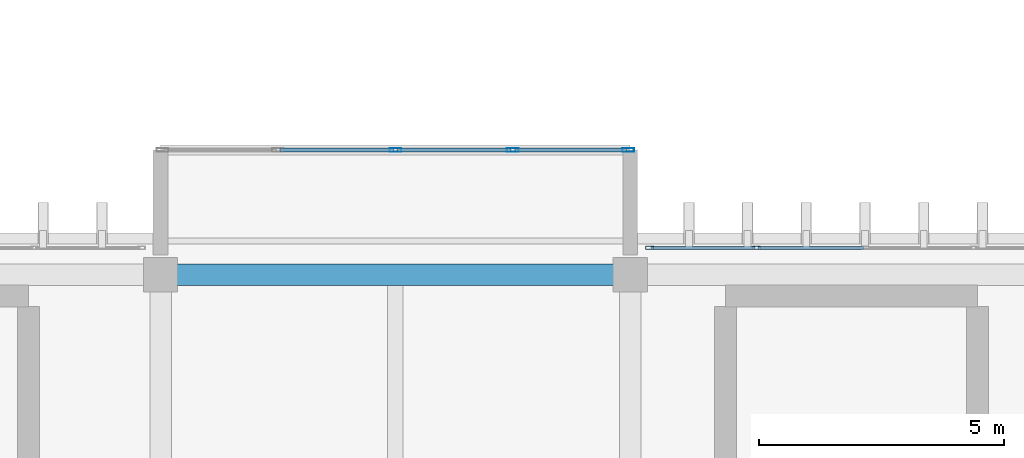
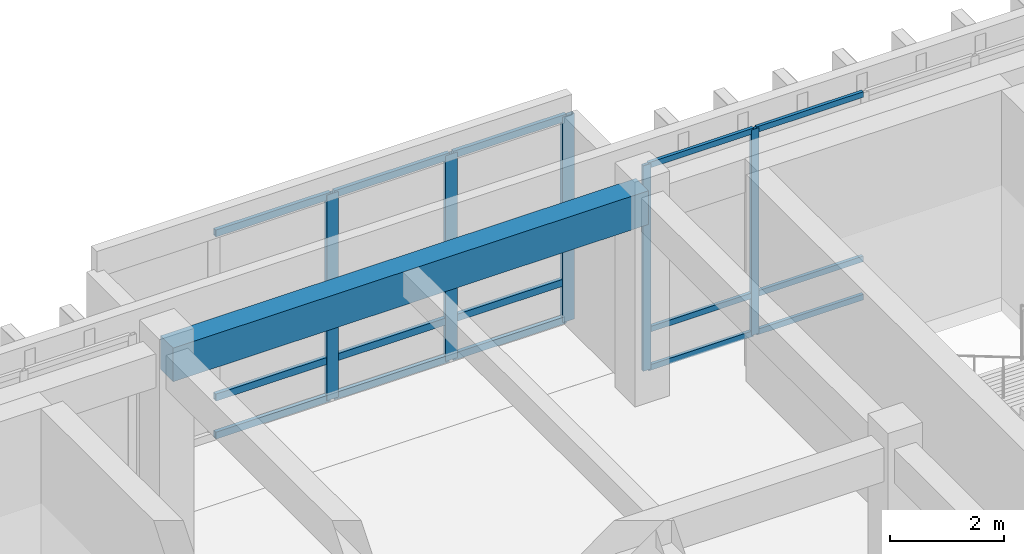
# One storey, part 73 of 133: 20 members, 1 beam, 2 elements without a shape of their own.
"""IFC4 building model written with IfcOpenShell, lengths in metres."""

from ifc_helpers import new_model, si_unit, direction, frame, origin, origin_2d, place, context, subcontext, project, spatial, rectangle, hollow_rectangle, extrude, material, layer, layer_set, material_profile, profile_set, type_object, element, aggregate, save


model = new_model("IFC4")

# Units and contexts
model_context = context("Model", 3, precision=1e-05, world=origin(), true_north=direction((0.0, 1.0)))
body_context = subcontext(model_context, "Body", "Model", "MODEL_VIEW")
ifc_project = project(units=[si_unit("LENGTHUNIT", "METRE"), si_unit("AREAUNIT", "SQUARE_METRE"), si_unit("VOLUMEUNIT", "CUBIC_METRE"), si_unit("PLANEANGLEUNIT", "RADIAN"), si_unit("MASSUNIT", "GRAM", prefix="KILO")], contexts=[model_context])

# Site, building, storey
site_placement = place(None, origin())
site = spatial("IfcSite", under=ifc_project, at=site_placement, CompositionType="ELEMENT")
building_placement = place(site_placement, origin())
building = spatial("IfcBuilding", under=site, at=building_placement, Name="Nakhvara Creek Congress Hotel", CompositionType="ELEMENT")
storey_placement = place(building_placement, frame((0.0, 0.0, 11.39990234375)))
storey = spatial("IfcBuildingStorey", under=building, at=storey_placement, Name="L02", CompositionType="ELEMENT", Elevation=11.39990234375)

# Beam
ifc_material_1 = material(Name="Concrete C40/50", Category="concrete")
ifc_material_profile_1 = material_profile(ifc_material_1, rectangle(XDim=0.43994140625, YDim=0.719970703125, at=origin_2d()), Name="RC-BM 440x720", Category="LoadBearing")
ifc_profile_set_1 = profile_set([ifc_material_profile_1], Name="Concrete C40/50")
beam_type = type_object("IfcBeamType", Name="BM-RC-440X720", PredefinedType="BEAM", material=ifc_profile_set_1)
beam_placement = place(storey_placement, frame((124.800048828125, 95.25, 4.06005859375), z_axis=(1.0, 0.0, 0.0), x_axis=(0.0, 1.0, 0.0)))
element("IfcBeam", 1, at=beam_placement, inside=storey, type_object=beam_type, Name="Beam B12-L02-1539", PredefinedType="BEAM", context=body_context, shape_type="SweptSolid", body=[
    extrude(rectangle(XDim=0.43994140625, YDim=0.719970703125, at=origin_2d()), origin(), (0.0, 0.0, 1.0), 9.599853515625),
])

# Curtain wall, members
ifc_material_2 = material(Name="Bronze-anodised aluminium AW-6063-T6 and double-silver low-E glass", Category="aluminium")
ifc_layer_1 = layer(ifc_material_2, 0.199951171875)
ifc_layer_set_1 = layer_set([ifc_layer_1], Name="Bronze-anodised aluminium AW-6063-T6 and double-silver low-E glass")
curtain_wall_type_1 = type_object("IfcCurtainWallType", Name="CW-POD-STICK", PredefinedType="NOTDEFINED", material=ifc_layer_set_1)
curtain_wall_1_placement = place(storey_placement, origin())
curtain_wall_1 = element("IfcCurtainWall", 2, at=curtain_wall_1_placement, inside=storey, type_object=curtain_wall_type_1, Name="Curtain Wall CW088", PredefinedType="NOTDEFINED")
ifc_material_3 = material(Name="Bronze-anodised aluminium AW-6063-T6", Category="aluminium")
ifc_material_profile_2 = material_profile(ifc_material_3, hollow_rectangle(XDim=0.06494140625, YDim=0.159912109375, WallThickness=0.00390625, at=origin_2d()), Name="ALU-MULL 65x160x4", Category="LoadBearing")
ifc_profile_set_2 = profile_set([ifc_material_profile_2], Name="Bronze-anodised aluminium AW-6063-T6")
member_type_1 = type_object("IfcMemberType", Name="CW-MULL-160", PredefinedType="MULLION", material=ifc_profile_set_2)
member_1_placement = place(storey_placement, frame((134.797607421875, 95.800048828125, 0.0), z_axis=(0.0, 0.0, 1.0), x_axis=(0.0, 1.0, 0.0)))
member_1 = element("IfcMember", 3, at=member_1_placement, type_object=member_type_1, Name="CW088 mullion 1", PredefinedType="MULLION", context=body_context, shape_type="SweptSolid", body=[
    extrude(hollow_rectangle(XDim=0.06494140625, YDim=0.159912109375, WallThickness=0.00390625, at=origin_2d()), origin(), (0.0, 0.0, 1.0), 4.39013671875),
])
member_2_placement = place(storey_placement, frame((136.982421875, 95.800048828125, 0.0), z_axis=(0.0, 0.0, 1.0), x_axis=(0.0, 1.0, 0.0)))
member_2 = element("IfcMember", 4, at=member_2_placement, type_object=member_type_1, Name="CW088 mullion 2", PredefinedType="MULLION", context=body_context, shape_type="SweptSolid", body=[
    extrude(hollow_rectangle(XDim=0.06494140625, YDim=0.159912109375, WallThickness=0.00390625, at=origin_2d()), origin(), (0.0, 0.0, 1.0), 4.39013671875),
])

ifc_layer_2 = layer(ifc_material_2, 0.219970703125)
ifc_layer_set_2 = layer_set([ifc_layer_2], Name="Bronze-anodised aluminium AW-6063-T6 and double-silver low-E glass")
curtain_wall_type_2 = type_object("IfcCurtainWallType", Name="CW-BOX-PROJ", PredefinedType="USERDEFINED", material=ifc_layer_set_2)
curtain_wall_2_placement = place(storey_placement, origin())
curtain_wall_2 = element("IfcCurtainWall", 5, at=curtain_wall_2_placement, inside=storey, type_object=curtain_wall_type_2, Name="Curtain Wall CW083", ObjectType="UNITISED", PredefinedType="USERDEFINED")
ifc_material_profile_3 = material_profile(ifc_material_3, hollow_rectangle(XDim=0.080078125, YDim=0.239990234375, WallThickness=0.0048828125, at=origin_2d()), Name="ALU-MULL 80x240x5", Category="LoadBearing")
ifc_profile_set_3 = profile_set([ifc_material_profile_3], Name="Bronze-anodised aluminium AW-6063-T6")
member_type_2 = type_object("IfcMemberType", Name="CW-MULL-240", PredefinedType="MULLION", material=ifc_profile_set_3)
member_3_placement = place(storey_placement, frame((129.60009765625, 97.800048828125, 0.0), z_axis=(0.0, 0.0, 1.0), x_axis=(0.0, 1.0, 0.0)))
member_3 = element("IfcMember", 6, at=member_3_placement, type_object=member_type_2, Name="CW083 mullion 3", PredefinedType="MULLION", context=body_context, shape_type="SweptSolid", body=[
    extrude(hollow_rectangle(XDim=0.080078125, YDim=0.239990234375, WallThickness=0.0048828125, at=origin_2d()), origin(), (0.0, 0.0, 1.0), 4.39013671875),
])
member_4_placement = place(storey_placement, frame((132.0, 97.800048828125, 0.0), z_axis=(0.0, 0.0, 1.0), x_axis=(0.0, 1.0, 0.0)))
member_4 = element("IfcMember", 7, at=member_4_placement, type_object=member_type_2, Name="CW083 mullion 4", PredefinedType="MULLION", context=body_context, shape_type="SweptSolid", body=[
    extrude(hollow_rectangle(XDim=0.080078125, YDim=0.239990234375, WallThickness=0.0048828125, at=origin_2d()), origin(), (0.0, 0.0, 1.0), 4.39013671875),
])
member_5_placement = place(storey_placement, frame((134.360107421875, 97.800048828125, 0.0), z_axis=(0.0, 0.0, 1.0), x_axis=(0.0, 1.0, 0.0)))
member_5 = element("IfcMember", 8, at=member_5_placement, type_object=member_type_2, Name="CW083 mullion 5", PredefinedType="MULLION", context=body_context, shape_type="SweptSolid", body=[
    extrude(hollow_rectangle(XDim=0.080078125, YDim=0.239990234375, WallThickness=0.0048828125, at=origin_2d()), origin(), (0.0, 0.0, 1.0), 4.39013671875),
])

# Member
ifc_material_profile_4 = material_profile(ifc_material_3, hollow_rectangle(XDim=0.06494140625, YDim=0.1201171875, WallThickness=0.00390625, at=origin_2d()), Name="ALU-TRAN 65x120x4", Category="LoadBearing")
ifc_profile_set_4 = profile_set([ifc_material_profile_4], Name="Bronze-anodised aluminium AW-6063-T6")
member_type_3 = type_object("IfcMemberType", Name="CW-TRAN-120", PredefinedType="USERDEFINED", material=ifc_profile_set_4)
member_6_placement = place(storey_placement, frame((134.830078125, 95.800048828125, 0.03271484375), z_axis=(1.0, 0.0, 0.0), x_axis=(0.0, 1.0, 0.0)))
member_6 = element("IfcMember", 9, at=member_6_placement, type_object=member_type_3, Name="CW088 transom 1.1", ObjectType="TRANSOM", PredefinedType="USERDEFINED", context=body_context, shape_type="SweptSolid", body=[
    extrude(hollow_rectangle(XDim=0.06494140625, YDim=0.1201171875, WallThickness=0.00390625, at=origin_2d()), origin(), (0.0, 0.0, 1.0), 2.119873046875),
])

member_7_placement = place(storey_placement, frame((134.830078125, 95.800048828125, 0.85009765625), z_axis=(1.0, 0.0, 0.0), x_axis=(0.0, 1.0, 0.0)))
member_7 = element("IfcMember", 10, at=member_7_placement, type_object=member_type_3, Name="CW088 transom 1.2", ObjectType="TRANSOM", PredefinedType="USERDEFINED", context=body_context, shape_type="SweptSolid", body=[
    extrude(hollow_rectangle(XDim=0.06494140625, YDim=0.1201171875, WallThickness=0.00390625, at=origin_2d()), origin(), (0.0, 0.0, 1.0), 2.119873046875),
])

member_8_placement = place(storey_placement, frame((134.830078125, 95.800048828125, 4.357666015625), z_axis=(1.0, 0.0, 0.0), x_axis=(0.0, 1.0, 0.0)))
member_8 = element("IfcMember", 11, at=member_8_placement, type_object=member_type_3, Name="CW088 transom 1.3", ObjectType="TRANSOM", PredefinedType="USERDEFINED", context=body_context, shape_type="SweptSolid", body=[
    extrude(hollow_rectangle(XDim=0.06494140625, YDim=0.1201171875, WallThickness=0.00390625, at=origin_2d()), origin(), (0.0, 0.0, 1.0), 2.119873046875),
])

member_9_placement = place(storey_placement, frame((137.014892578125, 95.800048828125, 0.03271484375), z_axis=(1.0, 0.0, 0.0), x_axis=(0.0, 1.0, 0.0)))
member_9 = element("IfcMember", 12, at=member_9_placement, type_object=member_type_3, Name="CW088 transom 2.1", ObjectType="TRANSOM", PredefinedType="USERDEFINED", context=body_context, shape_type="SweptSolid", body=[
    extrude(hollow_rectangle(XDim=0.06494140625, YDim=0.1201171875, WallThickness=0.00390625, at=origin_2d()), origin(), (0.0, 0.0, 1.0), 2.152587890625),
])

member_10_placement = place(storey_placement, frame((137.014892578125, 95.800048828125, 0.85009765625), z_axis=(1.0, 0.0, 0.0), x_axis=(0.0, 1.0, 0.0)))
member_10 = element("IfcMember", 13, at=member_10_placement, type_object=member_type_3, Name="CW088 transom 2.2", ObjectType="TRANSOM", PredefinedType="USERDEFINED", context=body_context, shape_type="SweptSolid", body=[
    extrude(hollow_rectangle(XDim=0.06494140625, YDim=0.1201171875, WallThickness=0.00390625, at=origin_2d()), origin(), (0.0, 0.0, 1.0), 2.152587890625),
])

member_11_placement = place(storey_placement, frame((137.014892578125, 95.800048828125, 4.357666015625), z_axis=(1.0, 0.0, 0.0), x_axis=(0.0, 1.0, 0.0)))
member_11 = element("IfcMember", 14, at=member_11_placement, type_object=member_type_3, Name="CW088 transom 2.3", ObjectType="TRANSOM", PredefinedType="USERDEFINED", context=body_context, shape_type="SweptSolid", body=[
    extrude(hollow_rectangle(XDim=0.06494140625, YDim=0.1201171875, WallThickness=0.00390625, at=origin_2d()), origin(), (0.0, 0.0, 1.0), 2.152587890625),
])

aggregate(curtain_wall_1, [member_1, member_2, member_6, member_7, member_8, member_9, member_10, member_11])

ifc_material_profile_5 = material_profile(ifc_material_3, hollow_rectangle(XDim=0.074951171875, YDim=0.14990234375, WallThickness=0.00390625, at=origin_2d()), Name="ALU-TRAN 75x150x4", Category="LoadBearing")
ifc_profile_set_5 = profile_set([ifc_material_profile_5], Name="Bronze-anodised aluminium AW-6063-T6")
member_type_4 = type_object("IfcMemberType", Name="CW-TRAN-150", PredefinedType="USERDEFINED", material=ifc_profile_set_5)
member_12_placement = place(storey_placement, frame((127.239990234375, 97.800048828125, 0.03759765625), z_axis=(1.0, 0.0, 0.0), x_axis=(0.0, 1.0, 0.0)))
member_12 = element("IfcMember", 15, at=member_12_placement, type_object=member_type_4, Name="CW083 transom 2.1", ObjectType="TRANSOM", PredefinedType="USERDEFINED", context=body_context, shape_type="SweptSolid", body=[
    extrude(hollow_rectangle(XDim=0.074951171875, YDim=0.14990234375, WallThickness=0.00390625, at=origin_2d()), origin(), (0.0, 0.0, 1.0), 2.320068359375),
])

member_13_placement = place(storey_placement, frame((127.239990234375, 97.800048828125, 0.85009765625), z_axis=(1.0, 0.0, 0.0), x_axis=(0.0, 1.0, 0.0)))
member_13 = element("IfcMember", 16, at=member_13_placement, type_object=member_type_4, Name="CW083 transom 2.2", ObjectType="TRANSOM", PredefinedType="USERDEFINED", context=body_context, shape_type="SweptSolid", body=[
    extrude(hollow_rectangle(XDim=0.074951171875, YDim=0.14990234375, WallThickness=0.00390625, at=origin_2d()), origin(), (0.0, 0.0, 1.0), 2.320068359375),
])

member_14_placement = place(storey_placement, frame((127.239990234375, 97.800048828125, 4.3525390625), z_axis=(1.0, 0.0, 0.0), x_axis=(0.0, 1.0, 0.0)))
member_14 = element("IfcMember", 17, at=member_14_placement, type_object=member_type_4, Name="CW083 transom 2.3", ObjectType="TRANSOM", PredefinedType="USERDEFINED", context=body_context, shape_type="SweptSolid", body=[
    extrude(hollow_rectangle(XDim=0.074951171875, YDim=0.14990234375, WallThickness=0.00390625, at=origin_2d()), origin(), (0.0, 0.0, 1.0), 2.320068359375),
])

member_15_placement = place(storey_placement, frame((129.639892578125, 97.800048828125, 0.03759765625), z_axis=(1.0, 0.0, 0.0), x_axis=(0.0, 1.0, 0.0)))
member_15 = element("IfcMember", 18, at=member_15_placement, type_object=member_type_4, Name="CW083 transom 3.1", ObjectType="TRANSOM", PredefinedType="USERDEFINED", context=body_context, shape_type="SweptSolid", body=[
    extrude(hollow_rectangle(XDim=0.074951171875, YDim=0.14990234375, WallThickness=0.00390625, at=origin_2d()), origin(), (0.0, 0.0, 1.0), 2.320068359375),
])

member_16_placement = place(storey_placement, frame((129.639892578125, 97.800048828125, 0.85009765625), z_axis=(1.0, 0.0, 0.0), x_axis=(0.0, 1.0, 0.0)))
member_16 = element("IfcMember", 19, at=member_16_placement, type_object=member_type_4, Name="CW083 transom 3.2", ObjectType="TRANSOM", PredefinedType="USERDEFINED", context=body_context, shape_type="SweptSolid", body=[
    extrude(hollow_rectangle(XDim=0.074951171875, YDim=0.14990234375, WallThickness=0.00390625, at=origin_2d()), origin(), (0.0, 0.0, 1.0), 2.320068359375),
])

member_17_placement = place(storey_placement, frame((129.639892578125, 97.800048828125, 4.3525390625), z_axis=(1.0, 0.0, 0.0), x_axis=(0.0, 1.0, 0.0)))
member_17 = element("IfcMember", 20, at=member_17_placement, type_object=member_type_4, Name="CW083 transom 3.3", ObjectType="TRANSOM", PredefinedType="USERDEFINED", context=body_context, shape_type="SweptSolid", body=[
    extrude(hollow_rectangle(XDim=0.074951171875, YDim=0.14990234375, WallThickness=0.00390625, at=origin_2d()), origin(), (0.0, 0.0, 1.0), 2.320068359375),
])

member_18_placement = place(storey_placement, frame((132.0400390625, 97.800048828125, 0.03759765625), z_axis=(1.0, 0.0, 0.0), x_axis=(0.0, 1.0, 0.0)))
member_18 = element("IfcMember", 21, at=member_18_placement, type_object=member_type_4, Name="CW083 transom 4.1", ObjectType="TRANSOM", PredefinedType="USERDEFINED", context=body_context, shape_type="SweptSolid", body=[
    extrude(hollow_rectangle(XDim=0.074951171875, YDim=0.14990234375, WallThickness=0.00390625, at=origin_2d()), origin(), (0.0, 0.0, 1.0), 2.280029296875),
])

member_19_placement = place(storey_placement, frame((132.0400390625, 97.800048828125, 0.85009765625), z_axis=(1.0, 0.0, 0.0), x_axis=(0.0, 1.0, 0.0)))
member_19 = element("IfcMember", 22, at=member_19_placement, type_object=member_type_4, Name="CW083 transom 4.2", ObjectType="TRANSOM", PredefinedType="USERDEFINED", context=body_context, shape_type="SweptSolid", body=[
    extrude(hollow_rectangle(XDim=0.074951171875, YDim=0.14990234375, WallThickness=0.00390625, at=origin_2d()), origin(), (0.0, 0.0, 1.0), 2.280029296875),
])

member_20_placement = place(storey_placement, frame((132.0400390625, 97.800048828125, 4.3525390625), z_axis=(1.0, 0.0, 0.0), x_axis=(0.0, 1.0, 0.0)))
member_20 = element("IfcMember", 23, at=member_20_placement, type_object=member_type_4, Name="CW083 transom 4.3", ObjectType="TRANSOM", PredefinedType="USERDEFINED", context=body_context, shape_type="SweptSolid", body=[
    extrude(hollow_rectangle(XDim=0.074951171875, YDim=0.14990234375, WallThickness=0.00390625, at=origin_2d()), origin(), (0.0, 0.0, 1.0), 2.280029296875),
])

aggregate(curtain_wall_2, [member_3, member_4, member_5, member_12, member_13, member_14, member_15, member_16, member_17, member_18, member_19, member_20])

save(model, "model.ifc")
